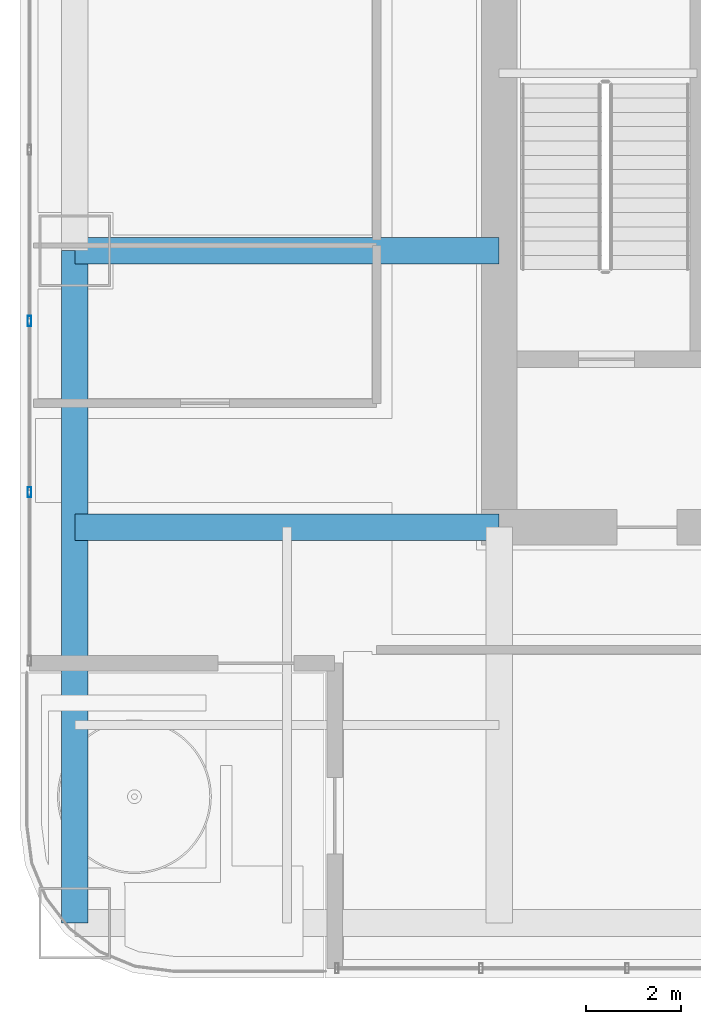
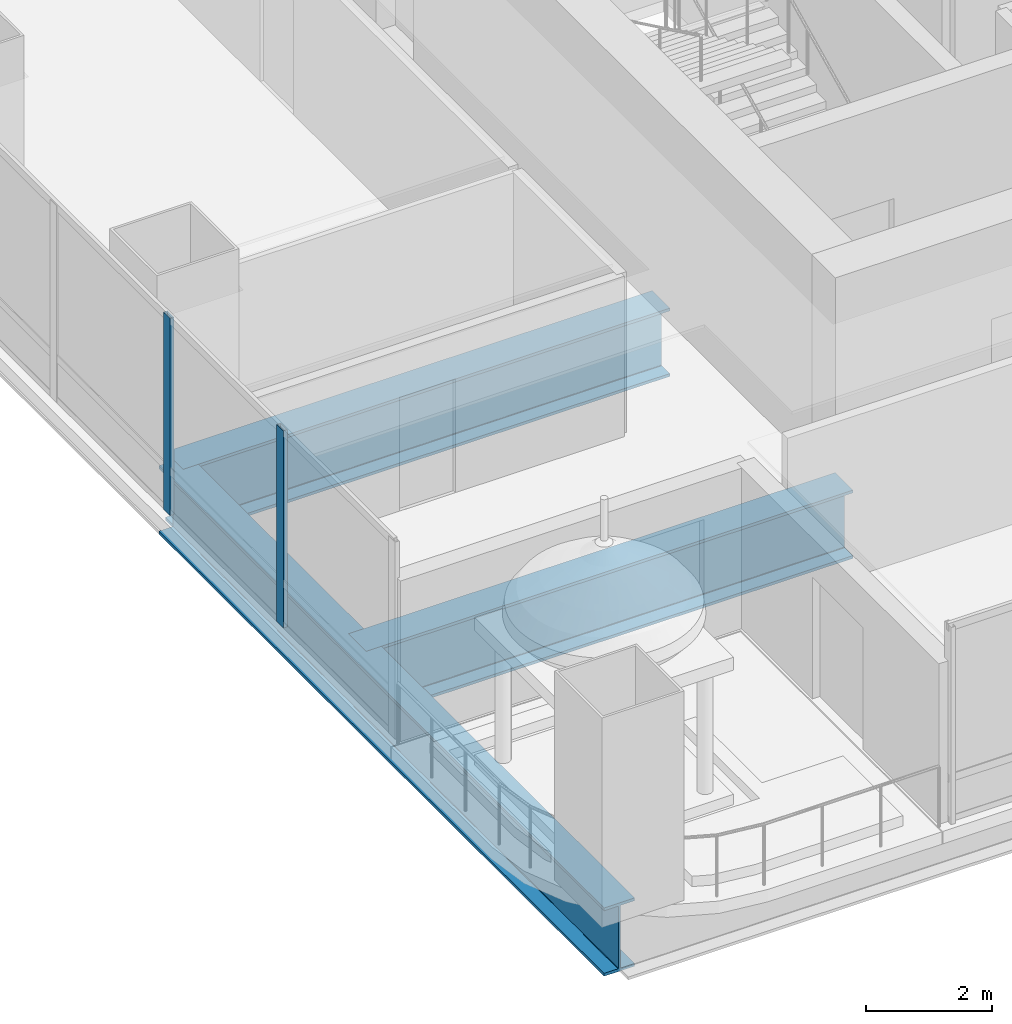
# One storey, part 4 of 37: 3 beams, 2 members, 1 element without a shape of its own.
"""IFC4 building model written with IfcOpenShell, lengths in metres."""

from ifc_helpers import new_model, si_unit, direction, frame, origin, origin_2d, place, context, subcontext, project, spatial, hollow_rectangle, i_section, extrude, material, material_profile, profile_set, type_object, element, aggregate, save


model = new_model("IFC4")

# Units and contexts
model_context = context("Model", 3, precision=1e-05, world=origin(), true_north=direction((0.0, 1.0)))
body_context = subcontext(model_context, "Body", "Model", "MODEL_VIEW")
ifc_project = project(units=[si_unit("LENGTHUNIT", "METRE"), si_unit("AREAUNIT", "SQUARE_METRE"), si_unit("VOLUMEUNIT", "CUBIC_METRE"), si_unit("PLANEANGLEUNIT", "RADIAN"), si_unit("MASSUNIT", "GRAM", prefix="KILO")], contexts=[model_context])

# Site, building, storey
site_placement = place(None, origin())
site = spatial("IfcSite", under=ifc_project, at=site_placement, CompositionType="ELEMENT")
building_placement = place(site_placement, origin())
building = spatial("IfcBuilding", under=site, at=building_placement, Name="Punatoya Terracotta Tower", CompositionType="ELEMENT")
storey_placement = place(building_placement, frame((0.0, 0.0, 109.199951171875)))
storey = spatial("IfcBuildingStorey", under=building, at=storey_placement, Name="L25", CompositionType="ELEMENT", Elevation=109.199951171875)

# Beams
ifc_material_1 = material(Name="Steel S460", Category="steel")
ifc_material_profile_1 = material_profile(ifc_material_1, i_section(OverallWidth=0.56005859375, OverallDepth=1.320068359375, WebThickness=0.035888671875, FlangeThickness=0.054931640625, FilletRadius=0.01806640625, at=origin_2d()))
ifc_profile_set_1 = profile_set([ifc_material_profile_1], Name="Steel S460")
beam_type = type_object("IfcBeamType", Name="BM-TG-BLK", PredefinedType="BEAM", material=ifc_profile_set_1)
beam_placement = place(storey_placement, frame((-19.10009765625, -17.5, -0.89990234375), z_axis=(0.0, 1.0, 0.0), x_axis=(-1.0, 0.0, 0.0)))
element("IfcBeam", 1, at=beam_placement, inside=storey, type_object=beam_type, Name="BM-L25-RG-W1", PredefinedType="BEAM", context=body_context, shape_type="SweptSolid", body=[
    extrude(i_section(OverallWidth=0.56005859375, OverallDepth=1.320068359375, WebThickness=0.035888671875, FlangeThickness=0.054931640625, FilletRadius=0.01806640625, at=origin_2d()), origin(), (0.0, 0.0, 1.0), 14.10009765625),
])
for number, where, z_axis, x_axis, name in (
    (2, (-19.10009765625, -9.199951171875, -0.89990234375), (1.0, 0.0, 0.0), (0.0, 1.0, 0.0), "BM-L25-PR-WS"),
    (3, (-19.10009765625, -3.39990234375, -0.89990234375), (1.0, 0.0, 0.0), (0.0, 1.0, 0.0), "BM-L25-PR-WD"),
):
    element("IfcBeam", number, at=place(storey_placement, frame(where, z_axis=z_axis, x_axis=x_axis)), inside=storey, type_object=beam_type, Name=name, PredefinedType="BEAM", context=body_context, shape_type="SweptSolid", body=[
        extrude(i_section(OverallWidth=0.56005859375, OverallDepth=1.320068359375, WebThickness=0.035888671875, FlangeThickness=0.054931640625, FilletRadius=0.01806640625, at=origin_2d()), origin(), (0.0, 0.0, 1.0), 8.900146484375),
    ])

# Curtain wall, members
ifc_material_2 = material(Name="Aluminium 6063-T6 + Double Low-E Glass", Category="aluminium")
curtain_wall_type = type_object("IfcCurtainWallType", Name="CW-M1", PredefinedType="NOTDEFINED", material=ifc_material_2)
curtain_wall_placement = place(storey_placement, origin())
curtain_wall = element("IfcCurtainWall", 4, at=curtain_wall_placement, inside=storey, type_object=curtain_wall_type, Name="L25 Curtain Wall CW-L25-W12-1", PredefinedType="NOTDEFINED")
ifc_material_3 = material(Name="Aluminium 6063-T6", Category="aluminium")
ifc_material_profile_2 = material_profile(ifc_material_3, hollow_rectangle(XDim=0.074951171875, YDim=0.2099609375, WallThickness=0.00439453125, at=origin_2d()))
ifc_profile_set_2 = profile_set([ifc_material_profile_2], Name="Aluminium 6063-T6")
member_type = type_object("IfcMemberType", Name="CW-MUL-M1", PredefinedType="MULLION", material=ifc_profile_set_2)
member_1_placement = place(storey_placement, frame((-20.050048828125, -4.875, 0.0), z_axis=(0.0, 0.0, 1.0), x_axis=(1.0, 0.0, 0.0)))
member_1 = element("IfcMember", 5, at=member_1_placement, type_object=member_type, Name="CW-L25-W12-1 Mullion 07", PredefinedType="MULLION", context=body_context, shape_type="SweptSolid", body=[
    extrude(hollow_rectangle(XDim=0.074951171875, YDim=0.2099609375, WallThickness=0.00439453125, at=origin_2d()), origin(), (0.0, 0.0, 1.0), 3.81005859375),
])
member_2_placement = place(storey_placement, frame((-20.050048828125, -8.462646484375, 0.0), z_axis=(0.0, 0.0, 1.0), x_axis=(1.0, 0.0, 0.0)))
member_2 = element("IfcMember", 6, at=member_2_placement, type_object=member_type, Name="CW-L25-W12-1 Mullion 08", PredefinedType="MULLION", context=body_context, shape_type="SweptSolid", body=[
    extrude(hollow_rectangle(XDim=0.074951171875, YDim=0.2099609375, WallThickness=0.00439453125, at=origin_2d()), origin(), (0.0, 0.0, 1.0), 3.81005859375),
])
aggregate(curtain_wall, [member_1, member_2])

save(model, "model.ifc")
